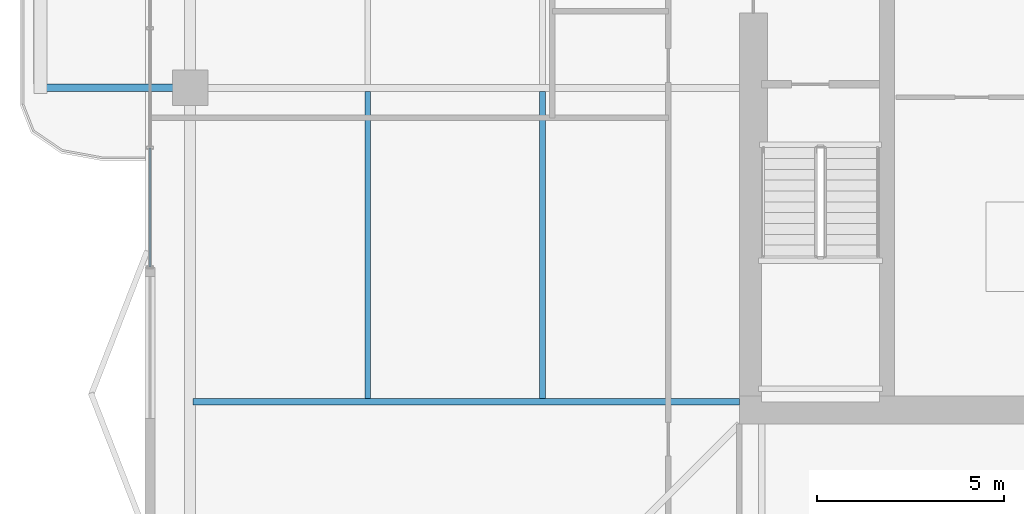
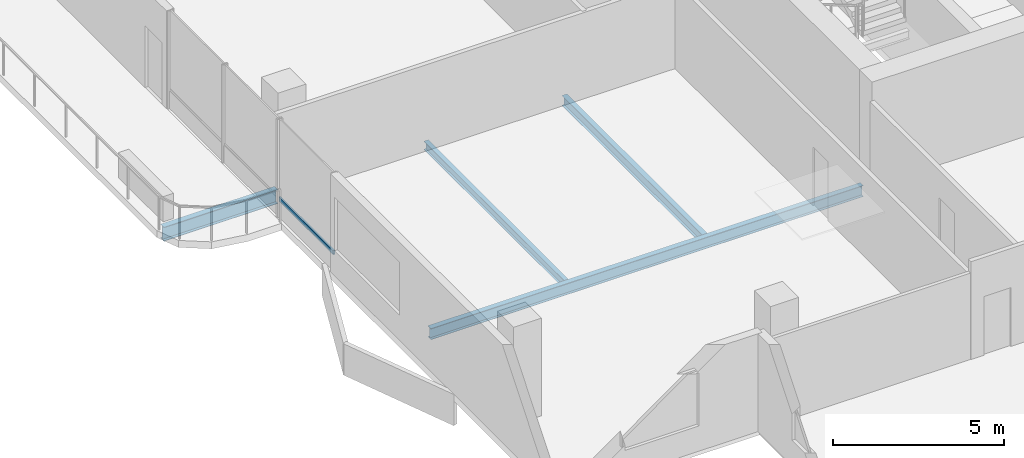
# One storey, part 5 of 23: 4 beams, 1 member, 1 element without a shape of its own.
"""IFC4 building model written with IfcOpenShell, lengths in metres."""

from ifc_helpers import new_model, si_unit, direction, frame, origin, origin_2d, place, context, subcontext, project, spatial, hollow_rectangle, i_section, extrude, material, layer, layer_set, material_profile, profile_set, type_object, element, aggregate, save


model = new_model("IFC4")

# Units and contexts
model_context = context("Model", 3, precision=1e-05, world=origin(), true_north=direction((0.0, 1.0)))
body_context = subcontext(model_context, "Body", "Model", "MODEL_VIEW")
ifc_project = project(units=[si_unit("LENGTHUNIT", "METRE"), si_unit("AREAUNIT", "SQUARE_METRE"), si_unit("VOLUMEUNIT", "CUBIC_METRE"), si_unit("PLANEANGLEUNIT", "RADIAN"), si_unit("MASSUNIT", "GRAM", prefix="KILO")], contexts=[model_context])

# Site, building, storey
site_placement = place(None, origin())
site = spatial("IfcSite", under=ifc_project, at=site_placement, CompositionType="ELEMENT")
building_placement = place(site_placement, origin())
building = spatial("IfcBuilding", under=site, at=building_placement, Name="Belovzor Exchange Tower", CompositionType="ELEMENT")
storey_placement = place(building_placement, frame((0.0, 0.0, 276.60009765625)))
storey = spatial("IfcBuildingStorey", under=building, at=storey_placement, Name="L69", CompositionType="ELEMENT", Elevation=276.60009765625)

# Beams
ifc_material_1 = material(Name="Steel S355", Category="steel")
ifc_material_profile_1 = material_profile(ifc_material_1, i_section(OverallWidth=0.199951171875, OverallDepth=0.5, WebThickness=0.01025390625, FlangeThickness=0.01611328125, at=origin_2d()))
ifc_profile_set_1 = profile_set([ifc_material_profile_1], Name="Steel S355")
beam_type_1 = type_object("IfcBeamType", Name="Planted Balcony Cantilever Beam IPE 500", PredefinedType="BEAM", material=ifc_profile_set_1)
beam_1_placement = place(storey_placement, frame((4.839111328125, 28.800048828125, -0.5), z_axis=(-1.0, 0.0, 0.0), x_axis=(0.0, -1.0, 0.0)))
element("IfcBeam", 1, at=beam_1_placement, inside=storey, type_object=beam_type_1, Name="BC-500 Planted Balcony Cantilever Beam IPE 500", PredefinedType="BEAM", context=body_context, shape_type="SweptSolid", body=[
    extrude(i_section(OverallWidth=0.199951171875, OverallDepth=0.5, WebThickness=0.01025390625, FlangeThickness=0.01611328125, at=origin_2d()), origin(), (0.0, 0.0, 1.0), 3.85009765625),
])
ifc_material_2 = material(Name="Steel S355", Category="steel")
ifc_material_profile_2 = material_profile(ifc_material_2, i_section(OverallWidth=0.169921875, OverallDepth=0.360107421875, WebThickness=0.008056640625, FlangeThickness=0.0126953125, at=origin_2d()))
ifc_profile_set_2 = profile_set([ifc_material_profile_2], Name="Steel S355")
beam_type_2 = type_object("IfcBeamType", Name="Secondary Infill Floor Joist IPE 360", PredefinedType="BEAM", material=ifc_profile_set_2)
beam_2_placement = place(storey_placement, frame((14.534912109375, 20.489990234375, -0.43017578125), z_axis=(0.0, 1.0, 0.0), x_axis=(-1.0, 0.0, 0.0)))
element("IfcBeam", 2, at=beam_2_placement, inside=storey, type_object=beam_type_2, Name="FJ-360 Secondary Infill Floor Joist IPE 360", PredefinedType="BEAM", context=body_context, shape_type="SweptSolid", body=[
    extrude(i_section(OverallWidth=0.169921875, OverallDepth=0.360107421875, WebThickness=0.008056640625, FlangeThickness=0.0126953125, at=origin_2d()), origin(), (0.0, 0.0, 1.0), 8.219970703125),
])
ifc_material_3 = material(Name="Steel S355", Category="steel")
ifc_material_profile_3 = material_profile(ifc_material_3, i_section(OverallWidth=0.14990234375, OverallDepth=0.300048828125, WebThickness=0.007080078125, FlangeThickness=0.0107421875, at=origin_2d()))
ifc_profile_set_3 = profile_set([ifc_material_profile_3], Name="Steel S355")
beam_type_3 = type_object("IfcBeamType", Name="Secondary Trim Floor Joist IPE 300", PredefinedType="BEAM", material=ifc_profile_set_3)
beam_3_placement = place(storey_placement, frame((9.85498046875, 20.489990234375, -0.400146484375), z_axis=(0.0, 1.0, 0.0), x_axis=(-1.0, 0.0, 0.0)))
element("IfcBeam", 3, at=beam_3_placement, inside=storey, type_object=beam_type_3, Name="FJ-300 Secondary Trim Floor Joist IPE 300", PredefinedType="BEAM", context=body_context, shape_type="SweptSolid", body=[
    extrude(i_section(OverallWidth=0.14990234375, OverallDepth=0.300048828125, WebThickness=0.007080078125, FlangeThickness=0.0107421875, at=origin_2d()), origin(), (0.0, 0.0, 1.0), 8.219970703125),
])

# Curtain wall, member
ifc_material_4 = material(Name="Anodised Aluminium Framing", Category="aluminium")
ifc_layer = layer(ifc_material_4, 0.179931640625)
ifc_layer_set = layer_set([ifc_layer], Name="Anodised Aluminium Framing")
curtain_wall_type = type_object("IfcCurtainWallType", Name="Recessed Loggia Low-Iron Triple-Glazed Curtain Wall", PredefinedType="NOTDEFINED", material=ifc_layer_set)
curtain_wall_placement = place(storey_placement, origin())
curtain_wall = element("IfcCurtainWall", 4, at=curtain_wall_placement, inside=storey, type_object=curtain_wall_type, Name="CW3 Recessed Loggia Low-Iron Triple-Glazed Curtain Wall L69", PredefinedType="NOTDEFINED")
ifc_material_5 = material(Name="Steel S355", Category="steel")
ifc_material_profile_4 = material_profile(ifc_material_5, hollow_rectangle(XDim=0.06005859375, YDim=0.14990234375, WallThickness=0.00390625, at=origin_2d()))
ifc_profile_set_4 = profile_set([ifc_material_profile_4], Name="Steel S355")
member_type = type_object("IfcMemberType", Name="Thermally Broken Curtain Wall Transom 150x60", PredefinedType="USERDEFINED", material=ifc_profile_set_4)
member_placement = place(storey_placement, frame((4.030029296875, 24.008056640625, 0.6298828125), z_axis=(0.0, 1.0, 0.0), x_axis=(-1.0, 0.0, 0.0)))
member = element("IfcMember", 5, at=member_placement, type_object=member_type, Name="CW-T150 Curtain Wall Transom 1", ObjectType="TRANSOM", PredefinedType="USERDEFINED", context=body_context, shape_type="SweptSolid", body=[
    extrude(hollow_rectangle(XDim=0.06005859375, YDim=0.14990234375, WallThickness=0.00390625, at=origin_2d()), origin(), (0.0, 0.0, 1.0), 3.183837890625),
])
aggregate(curtain_wall, [member])

# Beam
ifc_material_6 = material(Name="Steel S355", Category="steel")
ifc_material_profile_5 = material_profile(ifc_material_6, i_section(OverallWidth=0.179931640625, OverallDepth=0.39990234375, WebThickness=0.008544921875, FlangeThickness=0.013427734375, at=origin_2d()))
ifc_profile_set_5 = profile_set([ifc_material_profile_5], Name="Steel S355")
beam_type_4 = type_object("IfcBeamType", Name="Zone 5-6 Radial Composite Floor Beam IPE 400", PredefinedType="BEAM", material=ifc_profile_set_5)
beam_4_placement = place(storey_placement, frame((19.800048828125, 20.39990234375, -0.4501953125), z_axis=(-1.0, 0.0, 0.0), x_axis=(0.0, -1.0, 0.0)))
element("IfcBeam", 6, at=beam_4_placement, inside=storey, type_object=beam_type_4, Name="FB-400 Zone 5-6 Radial Composite Floor Beam IPE 400", PredefinedType="BEAM", context=body_context, shape_type="SweptSolid", body=[
    extrude(i_section(OverallWidth=0.179931640625, OverallDepth=0.39990234375, WebThickness=0.008544921875, FlangeThickness=0.013427734375, at=origin_2d()), origin(), (0.0, 0.0, 1.0), 14.625),
])

save(model, "model.ifc")
